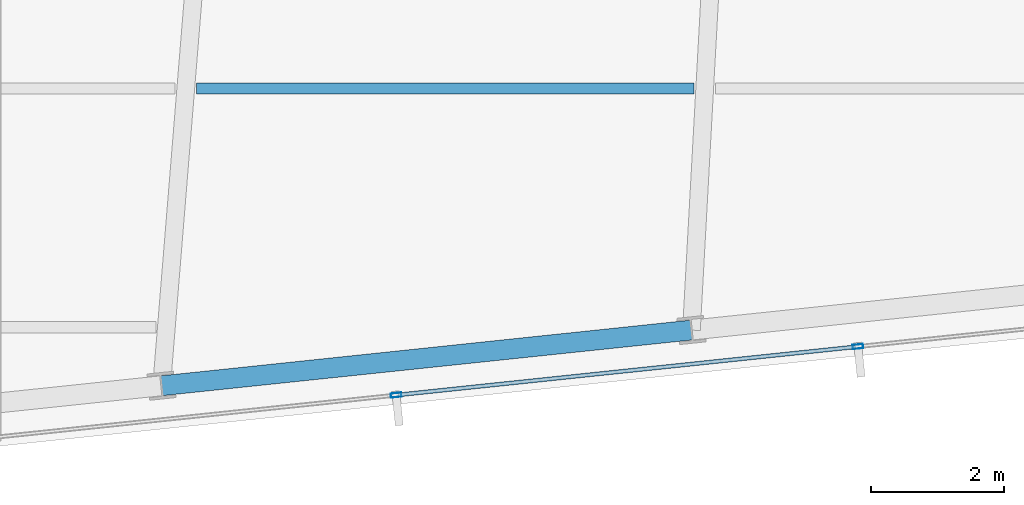
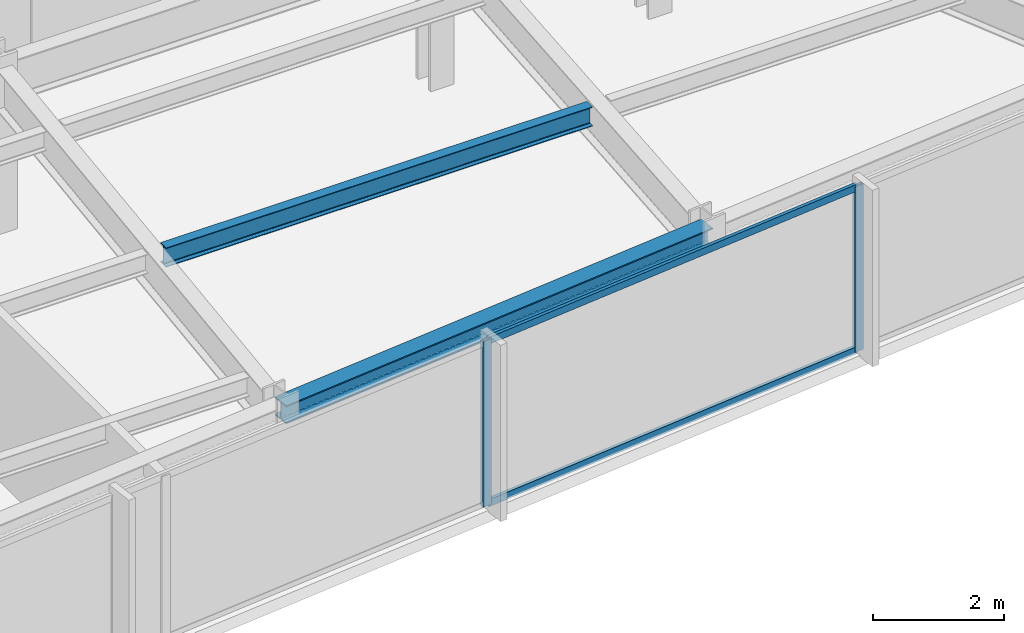
# One storey, part 14 of 32: 4 members, 2 beams, 1 element without a shape of its own.
"""IFC4 building model written with IfcOpenShell, lengths in metres."""

from ifc_helpers import new_model, si_unit, direction, frame, origin, origin_2d, place, context, subcontext, project, spatial, hollow_rectangle, i_section, extrude, material, material_profile, profile_set, type_object, element, aggregate, save


model = new_model("IFC4")

# Units and contexts
model_context = context("Model", 3, precision=1e-05, world=origin(), true_north=direction((0.0, 1.0)))
body_context = subcontext(model_context, "Body", "Model", "MODEL_VIEW")
ifc_project = project(units=[si_unit("LENGTHUNIT", "METRE"), si_unit("AREAUNIT", "SQUARE_METRE"), si_unit("VOLUMEUNIT", "CUBIC_METRE"), si_unit("PLANEANGLEUNIT", "RADIAN"), si_unit("MASSUNIT", "GRAM", prefix="KILO")], contexts=[model_context])

# Site, building, storey
site_placement = place(None, origin())
site = spatial("IfcSite", under=ifc_project, at=site_placement, CompositionType="ELEMENT")
building_placement = place(site_placement, origin())
building = spatial("IfcBuilding", under=site, at=building_placement, Name="Yelkora Congress Tower", CompositionType="ELEMENT")
storey_placement = place(building_placement, frame((0.0, 0.0, 207.800048828125)))
storey = spatial("IfcBuildingStorey", under=building, at=storey_placement, Name="L57", CompositionType="ELEMENT", Elevation=207.800048828125)

# Beams
ifc_material_1 = material(Name="Steel S355J2", Category="steel")
ifc_material_profile_1 = material_profile(ifc_material_1, i_section(OverallWidth=0.169921875, OverallDepth=0.360107421875, WebThickness=0.008056640625, FlangeThickness=0.0126953125, FilletRadius=0.01806640625, at=origin_2d()), Name="IPE 360")
ifc_profile_set_1 = profile_set([ifc_material_profile_1], Name="Steel S355J2")
beam_type_1 = type_object("IfcBeamType", Name="BM-JOIST-IPE360", PredefinedType="JOIST", material=ifc_profile_set_1)
beam_1_placement = place(storey_placement, frame((45.791259765625, 19.678466796875, 2.89990234375), z_axis=(1.0, 0.0, 0.0), x_axis=(0.0, 1.0, 0.0)))
element("IfcBeam", 1, at=beam_1_placement, inside=storey, type_object=beam_type_1, Name="L57 Composite Floor Joist 6", PredefinedType="JOIST", context=body_context, shape_type="SweptSolid", body=[
    extrude(i_section(OverallWidth=0.169921875, OverallDepth=0.360107421875, WebThickness=0.008056640625, FlangeThickness=0.0126953125, FilletRadius=0.01806640625, at=origin_2d()), origin(), (0.0, 0.0, 1.0), 7.505126953125),
])
ifc_material_profile_2 = material_profile(ifc_material_1, i_section(OverallWidth=0.300048828125, OverallDepth=0.340087890625, WebThickness=0.011962890625, FlangeThickness=0.021484375, FilletRadius=0.027099609375, at=origin_2d()), Name="HEB 340")
ifc_profile_set_2 = profile_set([ifc_material_profile_2], Name="Steel S355J2")
beam_type_2 = type_object("IfcBeamType", Name="BM-SPAN-HEB340", PredefinedType="SPANDREL", material=ifc_profile_set_2)
beam_2_placement = place(storey_placement, frame((45.26708984375, 15.197509765625, 2.909912109375), z_axis=(0.994520097542, 0.104545567032, 0.0), x_axis=(-0.104545567032, 0.994520097542, 0.0)))
element("IfcBeam", 2, at=beam_2_placement, inside=storey, type_object=beam_type_2, Name="L57 Perimeter Beam 6", PredefinedType="SPANDREL", context=body_context, shape_type="SweptSolid", body=[
    extrude(i_section(OverallWidth=0.300048828125, OverallDepth=0.340087890625, WebThickness=0.011962890625, FlangeThickness=0.021484375, FilletRadius=0.027099609375, at=origin_2d()), origin(), (0.0, 0.0, 1.0), 8.033203125),
])

# Curtain wall, members
ifc_material_2 = material(Name="Anodised aluminium and insulated glass", Category="aluminium")
curtain_wall_type = type_object("IfcCurtainWallType", Name="CW-SYS-B4", PredefinedType="NOTDEFINED", material=ifc_material_2)
curtain_wall_placement = place(storey_placement, origin())
curtain_wall = element("IfcCurtainWall", 3, at=curtain_wall_placement, inside=storey, type_object=curtain_wall_type, Name="L57 Unitised Curtain Wall 20", PredefinedType="NOTDEFINED")
ifc_material_3 = material(Name="Anodised aluminium 6063-T6", Category="aluminium")
ifc_material_profile_3 = material_profile(ifc_material_3, hollow_rectangle(XDim=0.06494140625, YDim=0.159912109375, WallThickness=0.00390625, at=origin_2d()), Name="ALU 65x160x4")
ifc_profile_set_3 = profile_set([ifc_material_profile_3], Name="Anodised aluminium 6063-T6")
member_type_1 = type_object("IfcMemberType", Name="MEM-ML-B4", PredefinedType="MULLION", material=ifc_profile_set_3)
member_1_placement = place(storey_placement, frame((55.76708984375, 15.788330078125, 0.0), z_axis=(0.0, 0.0, 1.0), x_axis=(0.104526664994, -0.994522084373, 0.0)))
member_1 = element("IfcMember", 4, at=member_1_placement, type_object=member_type_1, Name="CW-B4 mullion 3", PredefinedType="MULLION", context=body_context, shape_type="SweptSolid", body=[
    extrude(hollow_rectangle(XDim=0.06494140625, YDim=0.159912109375, WallThickness=0.00390625, at=origin_2d()), origin(), (0.0, 0.0, 1.0), 3.079833984375),
])
member_2_placement = place(storey_placement, frame((48.802490234375, 15.056396484375, 0.0), z_axis=(0.0, 0.0, 1.0), x_axis=(0.104526664994, -0.994522084373, 0.0)))
member_2 = element("IfcMember", 5, at=member_2_placement, type_object=member_type_1, Name="CW-B4 mullion 4", PredefinedType="MULLION", context=body_context, shape_type="SweptSolid", body=[
    extrude(hollow_rectangle(XDim=0.06494140625, YDim=0.159912109375, WallThickness=0.00390625, at=origin_2d()), origin(), (0.0, 0.0, 1.0), 3.079833984375),
])
ifc_material_profile_4 = material_profile(ifc_material_3, hollow_rectangle(XDim=0.06005859375, YDim=0.1298828125, WallThickness=0.00390625, at=origin_2d()), Name="ALU 60x130x4")
ifc_profile_set_4 = profile_set([ifc_material_profile_4], Name="Anodised aluminium 6063-T6")
member_type_2 = type_object("IfcMemberType", Name="MEM-TR-B4", PredefinedType="USERDEFINED", material=ifc_profile_set_4)
member_3_placement = place(storey_placement, frame((55.73486328125, 15.784912109375, 0.030029296875), z_axis=(-0.99452356298, -0.104512595784, 0.0), x_axis=(0.104512595784, -0.99452356298, 0.0)))
member_3 = element("IfcMember", 6, at=member_3_placement, type_object=member_type_2, Name="CW-B4 transom 3.1", ObjectType="TRANSOM", PredefinedType="USERDEFINED", context=body_context, shape_type="SweptSolid", body=[
    extrude(hollow_rectangle(XDim=0.06005859375, YDim=0.1298828125, WallThickness=0.00390625, at=origin_2d()), origin(), (0.0, 0.0, 1.0), 6.93798828125),
])
member_4_placement = place(storey_placement, frame((55.73486328125, 15.784912109375, 3.050048828125), z_axis=(-0.99452356298, -0.104512595784, 0.0), x_axis=(0.104512595784, -0.99452356298, 0.0)))
member_4 = element("IfcMember", 7, at=member_4_placement, type_object=member_type_2, Name="CW-B4 transom 3.2", ObjectType="TRANSOM", PredefinedType="USERDEFINED", context=body_context, shape_type="SweptSolid", body=[
    extrude(hollow_rectangle(XDim=0.06005859375, YDim=0.1298828125, WallThickness=0.00390625, at=origin_2d()), origin(), (0.0, 0.0, 1.0), 6.93798828125),
])
aggregate(curtain_wall, [member_1, member_2, member_3, member_4])

save(model, "model.ifc")
